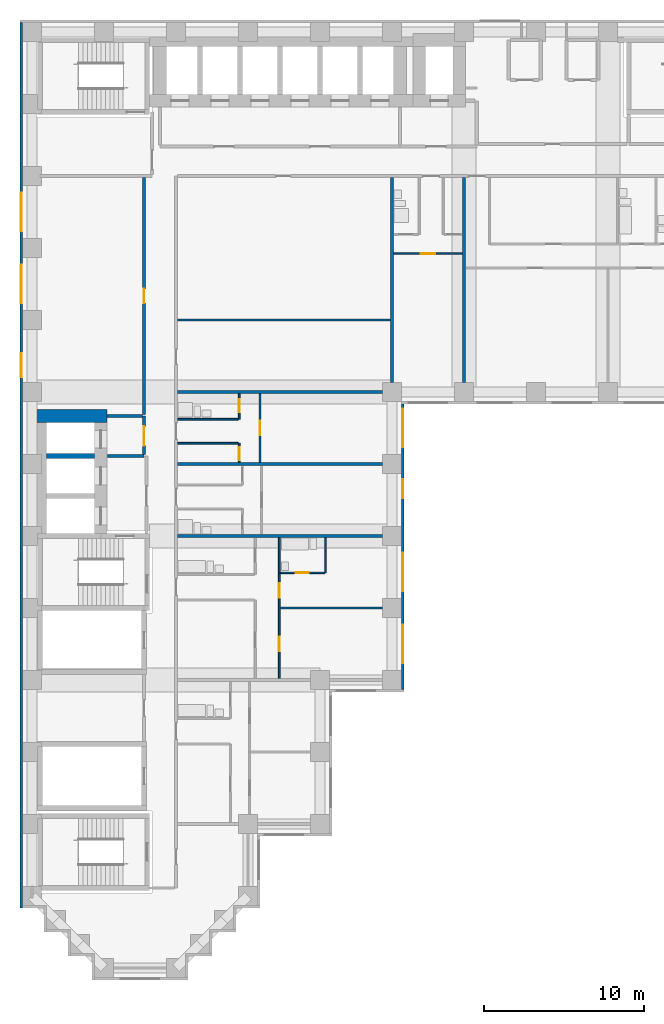
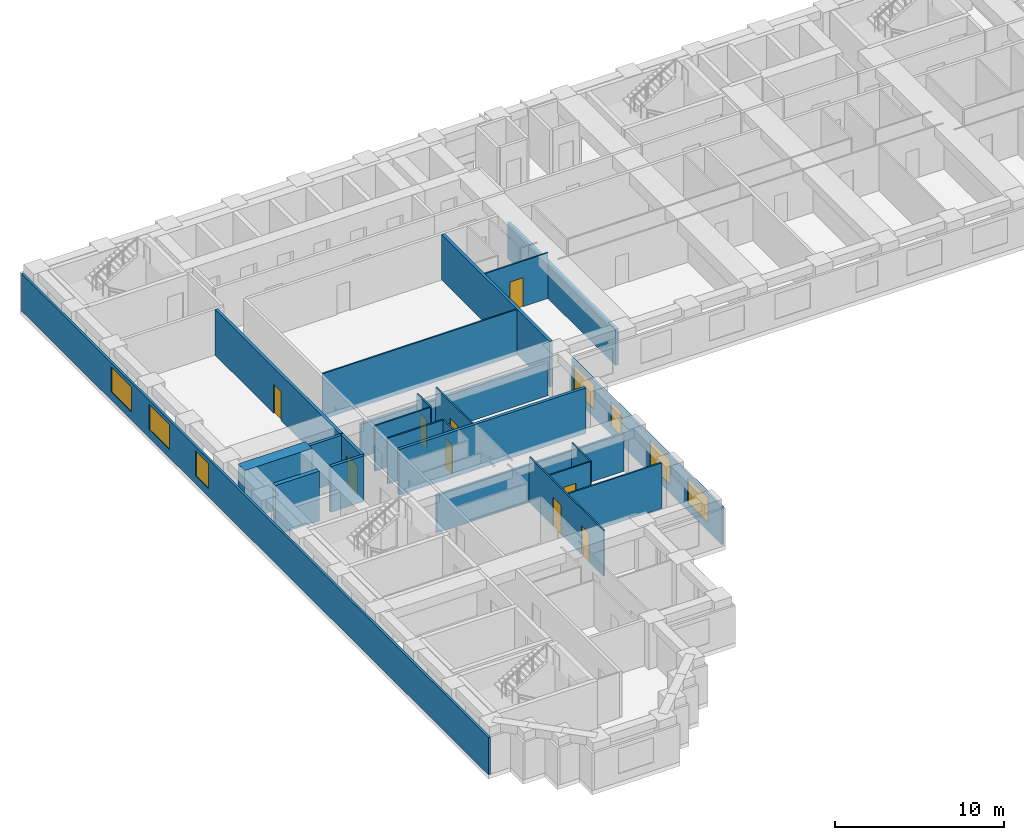
# One storey, part 4 of 11: 24 walls, 9 doors, 7 windows, 16 openings.
"""IFC4 building model written with IfcOpenShell, lengths in metres."""

from ifc_helpers import new_model, si_unit, direction, frame, frame_2d, origin, place, context, subcontext, project, spatial, rectangle, extrude, material, layer, layer_set, type_object, element, fill, save


model = new_model("IFC4")

# Units and contexts
model_context = context("Model", 3, precision=1e-05, world=origin(), true_north=direction((0.0, 1.0)))
body_context = subcontext(model_context, "Body", "Model", "MODEL_VIEW")
ifc_project = project(units=[si_unit("LENGTHUNIT", "METRE"), si_unit("AREAUNIT", "SQUARE_METRE"), si_unit("VOLUMEUNIT", "CUBIC_METRE"), si_unit("PLANEANGLEUNIT", "RADIAN"), si_unit("MASSUNIT", "GRAM", prefix="KILO")], contexts=[model_context])

# Site, building, storey
site_placement = place(None, origin())
site = spatial("IfcSite", under=ifc_project, at=site_placement, CompositionType="ELEMENT")
building_placement = place(site_placement, origin())
building = spatial("IfcBuilding", under=site, at=building_placement, Name="Firuza Court", CompositionType="ELEMENT")
storey_placement = place(building_placement, frame((0.0, 0.0, 61.39990234375)))
storey = spatial("IfcBuildingStorey", under=building, at=storey_placement, Name="L14", CompositionType="ELEMENT", Elevation=61.39990234375)

# Wall, opening, door
ifc_material_1 = material(Name="Moisture-resistant gypsum board partition")
ifc_layer_1 = layer(ifc_material_1, 0.10009765625)
ifc_layer_set_1 = layer_set([ifc_layer_1], Name="Moisture-resistant gypsum board partition")
wall_type_1 = type_object("IfcWallType", Name="Bathroom partition 100", PredefinedType="PLUMBINGWALL", material=ifc_layer_set_1)
wall_1_placement = place(storey_placement, frame((15.5, 24.699951171875, 0.0), z_axis=(0.0, 0.0, 1.0), x_axis=(1.0, 0.0, 0.0)))
wall_1 = element("IfcWall", 1, at=wall_1_placement, inside=storey, type_object=wall_type_1, Name="Bathroom partition 100 L14", PredefinedType="PLUMBINGWALL", context=body_context, shape_type="SweptSolid", body=[
    extrude(rectangle(XDim=2.800048828125, YDim=0.10009765625, at=frame_2d((1.39990234375, 0.0))), origin(), (0.0, 0.0, 1.0), 3.300048828125),
])
opening_1_placement = place(wall_1_placement, frame((1.0, 0.0, 0.0)))
opening_1 = element("IfcOpeningElement", 2, at=opening_1_placement, cuts=wall_1, Name="Opening D14034", PredefinedType="OPENING", context=body_context, shape_type="SweptSolid", body=[
    extrude(rectangle(XDim=0.800048828125, YDim=2.10009765625, at=frame_2d((0.39990234375, 1.050048828125))), frame((0.0, 0.06201171875, 0.0), z_axis=(0.0, -1.0, 0.0), x_axis=(1.0, 0.0, 0.0)), (0.0, 0.0, 1.0), 0.1240234375),
])
ifc_material_2 = material(Name="Timber door leaf in hardwood frame", Category="wood")
door_type_1 = type_object("IfcDoorType", Name="Bathroom door 800", OperationType="SINGLE_SWING_LEFT", PredefinedType="DOOR", material=ifc_material_2)
door_1_placement = place(opening_1_placement, origin())
door_1 = element("IfcDoor", 3, at=door_1_placement, inside=storey, type_object=door_type_1, Name="En-suite door", OperationType="SINGLE_SWING_LEFT", OverallHeight=2.10009765625, OverallWidth=0.800048828125, PredefinedType="DOOR", context=body_context, shape_type="SweptSolid", body=[
    extrude(rectangle(XDim=0.800048828125, YDim=2.10009765625, at=frame_2d((0.39990234375, 1.050048828125))), frame((0.0, 0.02490234375, 0.0), z_axis=(0.0, -1.0, 0.0), x_axis=(1.0, 0.0, 0.0)), (0.0, 0.0, 1.0), 0.050048828125),
])
fill(opening_1, door_1)

# Walls
wall_2_placement = place(storey_placement, frame((18.35009765625, 24.699951171875, 0.0), z_axis=(0.0, 0.0, 1.0), x_axis=(0.0, 1.0, 0.0)))
element("IfcWall", 4, at=wall_2_placement, inside=storey, type_object=wall_type_1, Name="Bathroom partition 100 L14", PredefinedType="PLUMBINGWALL", context=body_context, shape_type="SweptSolid", body=[
    extrude(rectangle(XDim=2.199951171875, YDim=0.10009765625, at=frame_2d((1.10009765625, 0.0))), origin(), (0.0, 0.0, 1.0), 3.300048828125),
])
wall_3_placement = place(storey_placement, frame((9.10009765625, 34.300048828125, 0.0), z_axis=(0.0, 0.0, 1.0), x_axis=(1.0, 0.0, 0.0)))
element("IfcWall", 5, at=wall_3_placement, inside=storey, type_object=wall_type_1, Name="Bathroom partition 100 L14", PredefinedType="PLUMBINGWALL", context=body_context, shape_type="SweptSolid", body=[
    extrude(rectangle(XDim=3.7998046875, YDim=0.10009765625, at=frame_2d((1.89990234375, 0.0))), origin(), (0.0, 0.0, 1.0), 3.300048828125),
])
ifc_material_3 = material(Name="Concrete C60/75", Category="concrete")
ifc_layer_2 = layer(ifc_material_3, 0.300048828125)
ifc_layer_set_2 = layer_set([ifc_layer_2], Name="Concrete C60/75")
wall_type_2 = type_object("IfcWallType", Name="Core wall 300 C60/75", PredefinedType="SHEAR", material=ifc_layer_set_2)
wall_4_placement = place(storey_placement, frame((0.89990234375, 32.0, -0.2998046875), z_axis=(0.0, 0.0, 1.0), x_axis=(1.0, 0.0, 0.0)))
element("IfcWall", 6, at=wall_4_placement, inside=storey, type_object=wall_type_2, Name="Core wall lift shaft L14", PredefinedType="SHEAR", context=body_context, shape_type="SweptSolid", body=[
    extrude(rectangle(XDim=3.0, YDim=0.300048828125, at=frame_2d((1.5, 0.0))), origin(), (0.0, 0.0, 1.0), 3.599853515625),
])
ifc_layer_3 = layer(ifc_material_3, 0.800048828125)
ifc_layer_set_3 = layer_set([ifc_layer_3], Name="Concrete C60/75")
wall_type_3 = type_object("IfcWallType", Name="Core wall 800 C60/75", PredefinedType="SHEAR", material=ifc_layer_set_3)
wall_5_placement = place(storey_placement, frame((0.10009765625, 34.5, -0.2998046875), z_axis=(0.0, 0.0, 1.0), x_axis=(1.0, 0.0, 0.0)))
element("IfcWall", 7, at=wall_5_placement, inside=storey, type_object=wall_type_3, Name="Core wall lift shaft L14", PredefinedType="SHEAR", context=body_context, shape_type="SweptSolid", body=[
    extrude(rectangle(XDim=4.599853515625, YDim=0.800048828125, at=frame_2d((2.2998046875, 0.0))), origin(), (0.0, 0.0, 1.0), 3.599853515625),
])

# Wall, opening, door
ifc_material_4 = material(Name="Blockwork, plastered both sides", Category="masonry")
ifc_layer_4 = layer(ifc_material_4, 0.199951171875)
ifc_layer_set_4 = layer_set([ifc_layer_4], Name="Blockwork, plastered both sides")
wall_type_4 = type_object("IfcWallType", Name="Corridor wall 200", PredefinedType="PARTITIONING", material=ifc_layer_set_4)
wall_6_placement = place(storey_placement, frame((7.0, 34.60009765625, 0.0), z_axis=(0.0, 0.0, 1.0), x_axis=(0.0, 1.0, 0.0)))
wall_6 = element("IfcWall", 8, at=wall_6_placement, inside=storey, type_object=wall_type_4, Name="Corridor wall 200 L14", PredefinedType="PARTITIONING", context=body_context, shape_type="SweptSolid", body=[
    extrude(rectangle(XDim=14.7998046875, YDim=0.199951171875, at=frame_2d((7.39990234375, 0.0))), origin(), (0.0, 0.0, 1.0), 3.300048828125),
])
opening_2_placement = place(wall_6_placement, frame((6.949951171875, 0.0, 0.0)))
opening_2 = element("IfcOpeningElement", 9, at=opening_2_placement, cuts=wall_6, Name="Opening D14041", PredefinedType="OPENING", context=body_context, shape_type="SweptSolid", body=[
    extrude(rectangle(XDim=0.89990234375, YDim=2.10009765625, at=frame_2d((0.449951171875, 1.050048828125))), frame((0.0, 0.11181640625, 0.0), z_axis=(0.0, -1.0, 0.0), x_axis=(1.0, 0.0, 0.0)), (0.0, 0.0, 1.0), 0.223876953125),
])
ifc_material_5 = material(Name="Timber door leaf in hardwood frame", Category="wood")
door_type_2 = type_object("IfcDoorType", Name="Room door 900 EI 30", OperationType="SINGLE_SWING_LEFT", PredefinedType="DOOR", material=ifc_material_5)
door_2_placement = place(opening_2_placement, origin())
door_2 = element("IfcDoor", 10, at=door_2_placement, inside=storey, type_object=door_type_2, Name="Residents' workroom door", OperationType="SINGLE_SWING_LEFT", OverallHeight=2.10009765625, OverallWidth=0.89990234375, PredefinedType="DOOR", context=body_context, shape_type="SweptSolid", body=[
    extrude(rectangle(XDim=0.89990234375, YDim=2.10009765625, at=frame_2d((0.449951171875, 1.050048828125))), frame((0.0, 0.02490234375, 0.0), z_axis=(0.0, -1.0, 0.0), x_axis=(1.0, 0.0, 0.0)), (0.0, 0.0, 1.0), 0.050048828125),
])
fill(opening_2, door_2)

# Wall, openings, doors
ifc_material_6 = material(Name="Timber stud partition, plasterboard both sides", Category="wood")
ifc_layer_5 = layer(ifc_material_6, 0.10009765625)
ifc_layer_set_5 = layer_set([ifc_layer_5], Name="Timber stud partition, plasterboard both sides")
wall_type_5 = type_object("IfcWallType", Name="Partition wall 100", PredefinedType="PARTITIONING", material=ifc_layer_set_5)
wall_7_placement = place(storey_placement, frame((15.449951171875, 18.10009765625, 0.0), z_axis=(0.0, 0.0, 1.0), x_axis=(0.0, 1.0, 0.0)))
wall_7 = element("IfcWall", 11, at=wall_7_placement, inside=storey, type_object=wall_type_5, Name="Partition wall 100 L14", PredefinedType="PARTITIONING", context=body_context, shape_type="SweptSolid", body=[
    extrude(rectangle(XDim=8.7998046875, YDim=0.10009765625, at=frame_2d((4.39990234375, 0.0))), origin(), (0.0, 0.0, 1.0), 3.300048828125),
])
opening_3_placement = place(wall_7_placement, frame((1.699951171875, 0.0, 0.0)))
opening_3 = element("IfcOpeningElement", 12, at=opening_3_placement, cuts=wall_7, Name="Opening D14031", PredefinedType="OPENING", context=body_context, shape_type="SweptSolid", body=[
    extrude(rectangle(XDim=0.89990234375, YDim=2.10009765625, at=frame_2d((0.449951171875, 1.050048828125))), frame((0.0, 0.06201171875, 0.0), z_axis=(0.0, -1.0, 0.0), x_axis=(1.0, 0.0, 0.0)), (0.0, 0.0, 1.0), 0.1240234375),
])
opening_4_placement = place(wall_7_placement, frame((5.050048828125, 0.0, 0.0)))
opening_4 = element("IfcOpeningElement", 13, at=opening_4_placement, cuts=wall_7, Name="Opening D14032", PredefinedType="OPENING", context=body_context, shape_type="SweptSolid", body=[
    extrude(rectangle(XDim=0.89990234375, YDim=2.10009765625, at=frame_2d((0.449951171875, 1.050048828125))), frame((0.0, 0.06201171875, 0.0), z_axis=(0.0, -1.0, 0.0), x_axis=(1.0, 0.0, 0.0)), (0.0, 0.0, 1.0), 0.1240234375),
])
ifc_material_7 = material(Name="Timber door leaf in hardwood frame", Category="wood")
door_type_3 = type_object("IfcDoorType", Name="Room door 900", OperationType="SINGLE_SWING_LEFT", PredefinedType="DOOR", material=ifc_material_7)
door_3_placement = place(opening_3_placement, frame((0.89990234375, 0.0, 0.0), z_axis=(0.0, 0.0, 1.0), x_axis=(-1.0, 0.0, 0.0)))
door_3 = element("IfcDoor", 14, at=door_3_placement, inside=storey, type_object=door_type_3, Name="Living room door", OperationType="SINGLE_SWING_RIGHT", OverallHeight=2.10009765625, OverallWidth=0.89990234375, PredefinedType="DOOR", context=body_context, shape_type="SweptSolid", body=[
    extrude(rectangle(XDim=0.89990234375, YDim=2.10009765625, at=frame_2d((0.449951171875, 1.050048828125))), frame((0.0, 0.02490234375, 0.0), z_axis=(0.0, -1.0, 0.0), x_axis=(1.0, 0.0, 0.0)), (0.0, 0.0, 1.0), 0.050048828125),
])
fill(opening_3, door_3)
door_4_placement = place(opening_4_placement, frame((0.89990234375, 0.0, 0.0), z_axis=(0.0, 0.0, 1.0), x_axis=(-1.0, 0.0, 0.0)))
door_4 = element("IfcDoor", 15, at=door_4_placement, inside=storey, type_object=door_type_3, Name="Bedroom door", OperationType="SINGLE_SWING_RIGHT", OverallHeight=2.10009765625, OverallWidth=0.89990234375, PredefinedType="DOOR", context=body_context, shape_type="SweptSolid", body=[
    extrude(rectangle(XDim=0.89990234375, YDim=2.10009765625, at=frame_2d((0.449951171875, 1.050048828125))), frame((0.0, 0.02490234375, 0.0), z_axis=(0.0, -1.0, 0.0), x_axis=(1.0, 0.0, 0.0)), (0.0, 0.0, 1.0), 0.050048828125),
])
fill(opening_4, door_4)

# Wall
wall_8_placement = place(storey_placement, frame((15.5, 22.5, 0.0), z_axis=(0.0, 0.0, 1.0), x_axis=(1.0, 0.0, 0.0)))
element("IfcWall", 16, at=wall_8_placement, inside=storey, type_object=wall_type_5, Name="Partition wall 100 L14", PredefinedType="PARTITIONING", context=body_context, shape_type="SweptSolid", body=[
    extrude(rectangle(XDim=6.39990234375, YDim=0.10009765625, at=frame_2d((3.199951171875, 0.0))), origin(), (0.0, 0.0, 1.0), 3.300048828125),
])

# Wall, opening, door
wall_9_placement = place(storey_placement, frame((12.949951171875, 31.60009765625, 0.0), z_axis=(0.0, 0.0, 1.0), x_axis=(0.0, 1.0, 0.0)))
wall_9 = element("IfcWall", 17, at=wall_9_placement, inside=storey, type_object=wall_type_5, Name="Partition wall 100 L14", PredefinedType="PARTITIONING", context=body_context, shape_type="SweptSolid", body=[
    extrude(rectangle(XDim=1.199951171875, YDim=0.10009765625, at=frame_2d((0.60009765625, 0.0))), origin(), (0.0, 0.0, 1.0), 3.300048828125),
])
opening_5_placement = place(wall_9_placement, frame((0.14990234375, 0.0, 0.0)))
opening_5 = element("IfcOpeningElement", 18, at=opening_5_placement, cuts=wall_9, Name="Opening D14038", PredefinedType="OPENING", context=body_context, shape_type="SweptSolid", body=[
    extrude(rectangle(XDim=0.800048828125, YDim=2.10009765625, at=frame_2d((0.39990234375, 1.050048828125))), frame((0.0, 0.06201171875, 0.0), z_axis=(0.0, -1.0, 0.0), x_axis=(1.0, 0.0, 0.0)), (0.0, 0.0, 1.0), 0.1240234375),
])
ifc_material_8 = material(Name="Timber door leaf in hardwood frame", Category="wood")
door_type_4 = type_object("IfcDoorType", Name="Room door 800", OperationType="SINGLE_SWING_LEFT", PredefinedType="DOOR", material=ifc_material_8)
door_5_placement = place(opening_5_placement, origin())
door_5 = element("IfcDoor", 19, at=door_5_placement, inside=storey, type_object=door_type_4, Name="Kitchen door", OperationType="SINGLE_SWING_LEFT", OverallHeight=2.10009765625, OverallWidth=0.800048828125, PredefinedType="DOOR", context=body_context, shape_type="SweptSolid", body=[
    extrude(rectangle(XDim=0.800048828125, YDim=2.10009765625, at=frame_2d((0.39990234375, 1.050048828125))), frame((0.0, 0.02490234375, 0.0), z_axis=(0.0, -1.0, 0.0), x_axis=(1.0, 0.0, 0.0)), (0.0, 0.0, 1.0), 0.050048828125),
])
fill(opening_5, door_5)

wall_10_placement = place(storey_placement, frame((14.25, 31.60009765625, 0.0), z_axis=(0.0, 0.0, 1.0), x_axis=(0.0, 1.0, 0.0)))
wall_10 = element("IfcWall", 20, at=wall_10_placement, inside=storey, type_object=wall_type_5, Name="Partition wall 100 L14", PredefinedType="PARTITIONING", context=body_context, shape_type="SweptSolid", body=[
    extrude(rectangle(XDim=4.2998046875, YDim=0.10009765625, at=frame_2d((2.14990234375, 0.0))), origin(), (0.0, 0.0, 1.0), 3.300048828125),
])
opening_6_placement = place(wall_10_placement, frame((1.699951171875, 0.0, 0.0)))
opening_6 = element("IfcOpeningElement", 21, at=opening_6_placement, cuts=wall_10, Name="Opening D14039", PredefinedType="OPENING", context=body_context, shape_type="SweptSolid", body=[
    extrude(rectangle(XDim=0.89990234375, YDim=2.10009765625, at=frame_2d((0.449951171875, 1.050048828125))), frame((0.0, 0.06201171875, 0.0), z_axis=(0.0, -1.0, 0.0), x_axis=(1.0, 0.0, 0.0)), (0.0, 0.0, 1.0), 0.1240234375),
])
door_6_placement = place(opening_6_placement, frame((0.89990234375, 0.0, 0.0), z_axis=(0.0, 0.0, 1.0), x_axis=(-1.0, 0.0, 0.0)))
door_6 = element("IfcDoor", 22, at=door_6_placement, inside=storey, type_object=door_type_3, Name="Studio room door", OperationType="SINGLE_SWING_RIGHT", OverallHeight=2.10009765625, OverallWidth=0.89990234375, PredefinedType="DOOR", context=body_context, shape_type="SweptSolid", body=[
    extrude(rectangle(XDim=0.89990234375, YDim=2.10009765625, at=frame_2d((0.449951171875, 1.050048828125))), frame((0.0, 0.02490234375, 0.0), z_axis=(0.0, -1.0, 0.0), x_axis=(1.0, 0.0, 0.0)), (0.0, 0.0, 1.0), 0.050048828125),
])
fill(opening_6, door_6)

# Wall
wall_11_placement = place(storey_placement, frame((9.10009765625, 32.800048828125, 0.0), z_axis=(0.0, 0.0, 1.0), x_axis=(1.0, 0.0, 0.0)))
element("IfcWall", 23, at=wall_11_placement, inside=storey, type_object=wall_type_5, Name="Partition wall 100 L14", PredefinedType="PARTITIONING", context=body_context, shape_type="SweptSolid", body=[
    extrude(rectangle(XDim=3.7998046875, YDim=0.10009765625, at=frame_2d((1.89990234375, 0.0))), origin(), (0.0, 0.0, 1.0), 3.300048828125),
])

# Wall, opening, door
wall_12_placement = place(storey_placement, frame((12.949951171875, 34.300048828125, 0.0), z_axis=(0.0, 0.0, 1.0), x_axis=(0.0, 1.0, 0.0)))
wall_12 = element("IfcWall", 24, at=wall_12_placement, inside=storey, type_object=wall_type_5, Name="Partition wall 100 L14", PredefinedType="PARTITIONING", context=body_context, shape_type="SweptSolid", body=[
    extrude(rectangle(XDim=1.599853515625, YDim=0.10009765625, at=frame_2d((0.7998046875, 0.0))), origin(), (0.0, 0.0, 1.0), 3.300048828125),
])
opening_7_placement = place(wall_12_placement, frame((0.449951171875, 0.0, 0.0)))
opening_7 = element("IfcOpeningElement", 25, at=opening_7_placement, cuts=wall_12, Name="Opening D14040", PredefinedType="OPENING", context=body_context, shape_type="SweptSolid", body=[
    extrude(rectangle(XDim=0.800048828125, YDim=2.10009765625, at=frame_2d((0.39990234375, 1.050048828125))), frame((0.0, 0.06201171875, 0.0), z_axis=(0.0, -1.0, 0.0), x_axis=(1.0, 0.0, 0.0)), (0.0, 0.0, 1.0), 0.1240234375),
])
door_7_placement = place(opening_7_placement, origin())
door_7 = element("IfcDoor", 26, at=door_7_placement, inside=storey, type_object=door_type_1, Name="Bathroom door", OperationType="SINGLE_SWING_LEFT", OverallHeight=2.10009765625, OverallWidth=0.800048828125, PredefinedType="DOOR", context=body_context, shape_type="SweptSolid", body=[
    extrude(rectangle(XDim=0.800048828125, YDim=2.10009765625, at=frame_2d((0.39990234375, 1.050048828125))), frame((0.0, 0.02490234375, 0.0), z_axis=(0.0, -1.0, 0.0), x_axis=(1.0, 0.0, 0.0)), (0.0, 0.0, 1.0), 0.050048828125),
])
fill(opening_7, door_7)

# Wall
wall_13_placement = place(storey_placement, frame((9.10009765625, 40.5, 0.0), z_axis=(0.0, 0.0, 1.0), x_axis=(1.0, 0.0, 0.0)))
element("IfcWall", 27, at=wall_13_placement, inside=storey, type_object=wall_type_5, Name="Partition wall 100 L14", PredefinedType="PARTITIONING", context=body_context, shape_type="SweptSolid", body=[
    extrude(rectangle(XDim=13.2998046875, YDim=0.10009765625, at=frame_2d((6.64990234375, 0.0))), origin(), (0.0, 0.0, 1.0), 3.300048828125),
])

# Wall, opening, door
wall_14_placement = place(storey_placement, frame((22.60009765625, 44.64990234375, 0.0), z_axis=(0.0, 0.0, 1.0), x_axis=(1.0, 0.0, 0.0)))
wall_14 = element("IfcWall", 28, at=wall_14_placement, inside=storey, type_object=wall_type_5, Name="Partition wall 100 L14", PredefinedType="PARTITIONING", context=body_context, shape_type="SweptSolid", body=[
    extrude(rectangle(XDim=4.2998046875, YDim=0.10009765625, at=frame_2d((2.14990234375, 0.0))), origin(), (0.0, 0.0, 1.0), 3.300048828125),
])
opening_8_placement = place(wall_14_placement, frame((1.699951171875, 0.0, 0.0)))
opening_8 = element("IfcOpeningElement", 29, at=opening_8_placement, cuts=wall_14, Name="Opening D14049", PredefinedType="OPENING", context=body_context, shape_type="SweptSolid", body=[
    extrude(rectangle(XDim=0.89990234375, YDim=2.10009765625, at=frame_2d((0.449951171875, 1.050048828125))), frame((0.0, 0.06201171875, 0.0), z_axis=(0.0, -1.0, 0.0), x_axis=(1.0, 0.0, 0.0)), (0.0, 0.0, 1.0), 0.1240234375),
])
door_8_placement = place(opening_8_placement, frame((0.89990234375, 0.0, 0.0), z_axis=(0.0, 0.0, 1.0), x_axis=(-1.0, 0.0, 0.0)))
door_8 = element("IfcDoor", 30, at=door_8_placement, inside=storey, type_object=door_type_3, Name="Studio room door", OperationType="SINGLE_SWING_RIGHT", OverallHeight=2.10009765625, OverallWidth=0.89990234375, PredefinedType="DOOR", context=body_context, shape_type="SweptSolid", body=[
    extrude(rectangle(XDim=0.89990234375, YDim=2.10009765625, at=frame_2d((0.449951171875, 1.050048828125))), frame((0.0, 0.02490234375, 0.0), z_axis=(0.0, -1.0, 0.0), x_axis=(1.0, 0.0, 0.0)), (0.0, 0.0, 1.0), 0.050048828125),
])
fill(opening_8, door_8)

# Walls
ifc_layer_6 = layer(ifc_material_4, 0.199951171875)
ifc_layer_set_6 = layer_set([ifc_layer_6], Name="Blockwork, plastered both sides")
wall_type_6 = type_object("IfcWallType", Name="Party wall 200", PredefinedType="PARTITIONING", material=ifc_layer_set_6)
wall_15_placement = place(storey_placement, frame((9.10009765625, 27.0, 0.0), z_axis=(0.0, 0.0, 1.0), x_axis=(1.0, 0.0, 0.0)))
element("IfcWall", 31, at=wall_15_placement, inside=storey, type_object=wall_type_6, Name="Party wall 200 L14", PredefinedType="PARTITIONING", context=body_context, shape_type="SweptSolid", body=[
    extrude(rectangle(XDim=12.7998046875, YDim=0.199951171875, at=frame_2d((6.39990234375, 0.0))), origin(), (0.0, 0.0, 1.0), 2.7001953125),
])
wall_16_placement = place(storey_placement, frame((9.10009765625, 31.5, 0.0), z_axis=(0.0, 0.0, 1.0), x_axis=(1.0, 0.0, 0.0)))
element("IfcWall", 32, at=wall_16_placement, inside=storey, type_object=wall_type_6, Name="Party wall 200 L14", PredefinedType="PARTITIONING", context=body_context, shape_type="SweptSolid", body=[
    extrude(rectangle(XDim=12.7998046875, YDim=0.199951171875, at=frame_2d((6.39990234375, 0.0))), origin(), (0.0, 0.0, 1.0), 3.300048828125),
])
wall_17_placement = place(storey_placement, frame((9.10009765625, 36.0, 0.0), z_axis=(0.0, 0.0, 1.0), x_axis=(1.0, 0.0, 0.0)))
element("IfcWall", 33, at=wall_17_placement, inside=storey, type_object=wall_type_6, Name="Party wall 200 L14", PredefinedType="PARTITIONING", context=body_context, shape_type="SweptSolid", body=[
    extrude(rectangle(XDim=12.7998046875, YDim=0.199951171875, at=frame_2d((6.39990234375, 0.0))), origin(), (0.0, 0.0, 1.0), 2.400146484375),
])
wall_18_placement = place(storey_placement, frame((22.5, 36.60009765625, 0.0), z_axis=(0.0, 0.0, 1.0), x_axis=(0.0, 1.0, 0.0)))
element("IfcWall", 34, at=wall_18_placement, inside=storey, type_object=wall_type_6, Name="Party wall 200 L14", PredefinedType="PARTITIONING", context=body_context, shape_type="SweptSolid", body=[
    extrude(rectangle(XDim=12.7998046875, YDim=0.199951171875, at=frame_2d((6.39990234375, 0.0))), origin(), (0.0, 0.0, 1.0), 3.300048828125),
])
wall_19_placement = place(storey_placement, frame((27.0, 36.60009765625, 0.0), z_axis=(0.0, 0.0, 1.0), x_axis=(0.0, 1.0, 0.0)))
element("IfcWall", 35, at=wall_19_placement, inside=storey, type_object=wall_type_6, Name="Party wall 200 L14", PredefinedType="PARTITIONING", context=body_context, shape_type="SweptSolid", body=[
    extrude(rectangle(XDim=12.7998046875, YDim=0.199951171875, at=frame_2d((6.39990234375, 0.0))), origin(), (0.0, 0.0, 1.0), 2.60009765625),
])

# Wall, openings, windows
ifc_material_9 = material(Name="Ceramic tile", Category="ceramic")
ifc_layer_7 = layer(ifc_material_9, 0.02001953125)
ifc_material_10 = material(Name="Mineral wool insulation", Category="insulation")
ifc_layer_8 = layer(ifc_material_10, 0.050048828125)
ifc_material_11 = material(Name="Concrete C40/50 precast", Category="concrete")
ifc_layer_9 = layer(ifc_material_11, 0.080078125)
ifc_layer_set_7 = layer_set([ifc_layer_7, ifc_layer_8, ifc_layer_9], Name="Concrete C40/50 precast")
wall_type_7 = type_object("IfcWallType", Name="Precast cladding wall with turquoise TILE PANEL face 150", PredefinedType="STANDARD", material=ifc_layer_set_7)
wall_20_placement = place(storey_placement, frame((23.175048828125, 17.39990234375, 0.0), z_axis=(0.0, 0.0, 1.0), x_axis=(0.0, 1.0, 0.0)))
wall_20 = element("IfcWall", 36, at=wall_20_placement, inside=storey, type_object=wall_type_7, Name="Facade wall L14 E", PredefinedType="STANDARD", context=body_context, shape_type="SweptSolid", body=[
    extrude(rectangle(XDim=17.85009765625, YDim=0.14990234375, at=frame_2d((8.925048828125, 0.0))), origin(), (0.0, 0.0, 1.0), 2.7001953125),
])
opening_9_placement = place(wall_20_placement, frame((1.64990234375, 0.0, 0.60009765625)))
opening_9 = element("IfcOpeningElement", 37, at=opening_9_placement, cuts=wall_20, Name="Opening W1", PredefinedType="OPENING", context=body_context, shape_type="SweptSolid", body=[
    extrude(rectangle(XDim=2.39990234375, YDim=1.800048828125, at=frame_2d((1.199951171875, 0.89990234375))), frame((0.0, 0.0869140625, 0.0), z_axis=(0.0, -1.0, 0.0), x_axis=(1.0, 0.0, 0.0)), (0.0, 0.0, 1.0), 0.173828125),
])
opening_10_placement = place(wall_20_placement, frame((6.14990234375, 0.0, 0.60009765625)))
opening_10 = element("IfcOpeningElement", 38, at=opening_10_placement, cuts=wall_20, Name="Opening W1", PredefinedType="OPENING", context=body_context, shape_type="SweptSolid", body=[
    extrude(rectangle(XDim=2.39990234375, YDim=1.800048828125, at=frame_2d((1.199951171875, 0.89990234375))), frame((0.0, 0.0869140625, 0.0), z_axis=(0.0, -1.0, 0.0), x_axis=(1.0, 0.0, 0.0)), (0.0, 0.0, 1.0), 0.173828125),
])
opening_11_placement = place(wall_20_placement, frame((11.960693359375, 0.0, 0.60009765625)))
opening_11 = element("IfcOpeningElement", 39, at=opening_11_placement, cuts=wall_20, Name="Opening W8", PredefinedType="OPENING", context=body_context, shape_type="SweptSolid", body=[
    extrude(rectangle(XDim=1.199951171875, YDim=1.800048828125, at=frame_2d((0.60009765625, 0.89990234375))), frame((0.0, 0.0869140625, 0.0), z_axis=(0.0, -1.0, 0.0), x_axis=(1.0, 0.0, 0.0)), (0.0, 0.0, 1.0), 0.173828125),
])
opening_12_placement = place(wall_20_placement, frame((15.14990234375, 0.0, 0.60009765625)))
opening_12 = element("IfcOpeningElement", 40, at=opening_12_placement, cuts=wall_20, Name="Opening W1", PredefinedType="OPENING", context=body_context, shape_type="SweptSolid", body=[
    extrude(rectangle(XDim=2.39990234375, YDim=1.800048828125, at=frame_2d((1.199951171875, 0.89990234375))), frame((0.0, 0.0869140625, 0.0), z_axis=(0.0, -1.0, 0.0), x_axis=(1.0, 0.0, 0.0)), (0.0, 0.0, 1.0), 0.173828125),
])
ifc_material_12 = material(Name="Aluminium frame, triple clear glazing", Category="aluminium")
window_type_1 = type_object("IfcWindowType", Name="Window W1 2400 x 1800", PartitioningType="SINGLE_PANEL", PredefinedType="WINDOW", material=ifc_material_12)
window_1_placement = place(opening_9_placement, origin())
window_1 = element("IfcWindow", 41, at=window_1_placement, inside=storey, type_object=window_type_1, Name="Window L14", OverallHeight=1.800048828125, OverallWidth=2.39990234375, PartitioningType="SINGLE_PANEL", PredefinedType="WINDOW", context=body_context, shape_type="SweptSolid", body=[
    extrude(rectangle(XDim=2.39990234375, YDim=1.800048828125, at=frame_2d((1.199951171875, 0.89990234375))), frame((0.0, 0.030029296875, 0.0), z_axis=(0.0, -1.0, 0.0), x_axis=(1.0, 0.0, 0.0)), (0.0, 0.0, 1.0), 0.06005859375),
])
fill(opening_9, window_1)
window_2_placement = place(opening_10_placement, origin())
window_2 = element("IfcWindow", 42, at=window_2_placement, inside=storey, type_object=window_type_1, Name="Window L14", OverallHeight=1.800048828125, OverallWidth=2.39990234375, PartitioningType="SINGLE_PANEL", PredefinedType="WINDOW", context=body_context, shape_type="SweptSolid", body=[
    extrude(rectangle(XDim=2.39990234375, YDim=1.800048828125, at=frame_2d((1.199951171875, 0.89990234375))), frame((0.0, 0.030029296875, 0.0), z_axis=(0.0, -1.0, 0.0), x_axis=(1.0, 0.0, 0.0)), (0.0, 0.0, 1.0), 0.06005859375),
])
fill(opening_10, window_2)
window_3_placement = place(opening_12_placement, origin())
window_3 = element("IfcWindow", 43, at=window_3_placement, inside=storey, type_object=window_type_1, Name="Window L14", OverallHeight=1.800048828125, OverallWidth=2.39990234375, PartitioningType="SINGLE_PANEL", PredefinedType="WINDOW", context=body_context, shape_type="SweptSolid", body=[
    extrude(rectangle(XDim=2.39990234375, YDim=1.800048828125, at=frame_2d((1.199951171875, 0.89990234375))), frame((0.0, 0.030029296875, 0.0), z_axis=(0.0, -1.0, 0.0), x_axis=(1.0, 0.0, 0.0)), (0.0, 0.0, 1.0), 0.06005859375),
])
fill(opening_12, window_3)
ifc_material_13 = material(Name="Aluminium frame, triple clear glazing", Category="aluminium")
window_type_2 = type_object("IfcWindowType", Name="Window W8 1200 x 1800", PartitioningType="SINGLE_PANEL", PredefinedType="WINDOW", material=ifc_material_13)
window_4_placement = place(opening_11_placement, origin())
window_4 = element("IfcWindow", 44, at=window_4_placement, inside=storey, type_object=window_type_2, Name="Window L14", OverallHeight=1.800048828125, OverallWidth=1.199951171875, PartitioningType="SINGLE_PANEL", PredefinedType="WINDOW", context=body_context, shape_type="SweptSolid", body=[
    extrude(rectangle(XDim=1.199951171875, YDim=1.800048828125, at=frame_2d((0.60009765625, 0.89990234375))), frame((0.0, 0.030029296875, 0.0), z_axis=(0.0, -1.0, 0.0), x_axis=(1.0, 0.0, 0.0)), (0.0, 0.0, 1.0), 0.06005859375),
])
fill(opening_11, window_4)

wall_21_placement = place(storey_placement, frame((-0.675048828125, 59.10009765625, 0.0), z_axis=(0.0, 0.0, 1.0), x_axis=(0.0, -1.0, 0.0)))
wall_21 = element("IfcWall", 45, at=wall_21_placement, inside=storey, type_object=wall_type_7, Name="Facade wall L14 W", PredefinedType="STANDARD", context=body_context, shape_type="SweptSolid", body=[
    extrude(rectangle(XDim=55.35009765625, YDim=0.14990234375, at=frame_2d((27.675048828125, 0.0))), origin(), (0.0, 0.0, 1.0), 2.7001953125),
])
opening_13_placement = place(wall_21_placement, frame((10.64990234375, 0.0, 0.60009765625)))
opening_13 = element("IfcOpeningElement", 46, at=opening_13_placement, cuts=wall_21, Name="Opening W1", PredefinedType="OPENING", context=body_context, shape_type="SweptSolid", body=[
    extrude(rectangle(XDim=2.39990234375, YDim=1.800048828125, at=frame_2d((1.199951171875, 0.89990234375))), frame((0.0, 0.0869140625, 0.0), z_axis=(0.0, -1.0, 0.0), x_axis=(1.0, 0.0, 0.0)), (0.0, 0.0, 1.0), 0.173828125),
])
opening_14_placement = place(wall_21_placement, frame((15.14990234375, 0.0, 0.60009765625)))
opening_14 = element("IfcOpeningElement", 47, at=opening_14_placement, cuts=wall_21, Name="Opening W1", PredefinedType="OPENING", context=body_context, shape_type="SweptSolid", body=[
    extrude(rectangle(XDim=2.39990234375, YDim=1.800048828125, at=frame_2d((1.199951171875, 0.89990234375))), frame((0.0, 0.0869140625, 0.0), z_axis=(0.0, -1.0, 0.0), x_axis=(1.0, 0.0, 0.0)), (0.0, 0.0, 1.0), 0.173828125),
])
opening_15_placement = place(wall_21_placement, frame((20.67041015625, 0.0, 0.60009765625)))
opening_15 = element("IfcOpeningElement", 48, at=opening_15_placement, cuts=wall_21, Name="Opening W2", PredefinedType="OPENING", context=body_context, shape_type="SweptSolid", body=[
    extrude(rectangle(XDim=1.5, YDim=1.800048828125, at=frame_2d((0.75, 0.89990234375))), frame((0.0, 0.0869140625, 0.0), z_axis=(0.0, -1.0, 0.0), x_axis=(1.0, 0.0, 0.0)), (0.0, 0.0, 1.0), 0.173828125),
])
window_5_placement = place(opening_13_placement, origin())
window_5 = element("IfcWindow", 49, at=window_5_placement, inside=storey, type_object=window_type_1, Name="Window L14", OverallHeight=1.800048828125, OverallWidth=2.39990234375, PartitioningType="SINGLE_PANEL", PredefinedType="WINDOW", context=body_context, shape_type="SweptSolid", body=[
    extrude(rectangle(XDim=2.39990234375, YDim=1.800048828125, at=frame_2d((1.199951171875, 0.89990234375))), frame((0.0, 0.030029296875, 0.0), z_axis=(0.0, -1.0, 0.0), x_axis=(1.0, 0.0, 0.0)), (0.0, 0.0, 1.0), 0.06005859375),
])
fill(opening_13, window_5)
window_6_placement = place(opening_14_placement, origin())
window_6 = element("IfcWindow", 50, at=window_6_placement, inside=storey, type_object=window_type_1, Name="Window L14", OverallHeight=1.800048828125, OverallWidth=2.39990234375, PartitioningType="SINGLE_PANEL", PredefinedType="WINDOW", context=body_context, shape_type="SweptSolid", body=[
    extrude(rectangle(XDim=2.39990234375, YDim=1.800048828125, at=frame_2d((1.199951171875, 0.89990234375))), frame((0.0, 0.030029296875, 0.0), z_axis=(0.0, -1.0, 0.0), x_axis=(1.0, 0.0, 0.0)), (0.0, 0.0, 1.0), 0.06005859375),
])
fill(opening_14, window_6)
ifc_material_14 = material(Name="Aluminium frame, triple clear glazing", Category="aluminium")
window_type_3 = type_object("IfcWindowType", Name="Window W2 1500 x 1800", PartitioningType="SINGLE_PANEL", PredefinedType="WINDOW", material=ifc_material_14)
window_7_placement = place(opening_15_placement, origin())
window_7 = element("IfcWindow", 51, at=window_7_placement, inside=storey, type_object=window_type_3, Name="Window L14", OverallHeight=1.800048828125, OverallWidth=1.5, PartitioningType="SINGLE_PANEL", PredefinedType="WINDOW", context=body_context, shape_type="SweptSolid", body=[
    extrude(rectangle(XDim=1.5, YDim=1.800048828125, at=frame_2d((0.75, 0.89990234375))), frame((0.0, 0.030029296875, 0.0), z_axis=(0.0, -1.0, 0.0), x_axis=(1.0, 0.0, 0.0)), (0.0, 0.0, 1.0), 0.06005859375),
])
fill(opening_15, window_7)

# Wall
ifc_material_15 = material(Name="Blockwork, fire-rated", Category="masonry")
ifc_layer_10 = layer(ifc_material_15, 0.199951171875)
ifc_layer_set_8 = layer_set([ifc_layer_10], Name="Blockwork, fire-rated")
wall_type_8 = type_object("IfcWallType", Name="Shaft wall 200", PredefinedType="PARTITIONING", material=ifc_layer_set_8)
wall_22_placement = place(storey_placement, frame((4.719970703125, 32.0, 0.0), z_axis=(0.0, 0.0, 1.0), x_axis=(1.0, 0.0, 0.0)))
element("IfcWall", 52, at=wall_22_placement, inside=storey, type_object=wall_type_8, Name="Shaft wall 200 L14", PredefinedType="PARTITIONING", context=body_context, shape_type="SweptSolid", body=[
    extrude(rectangle(XDim=2.280029296875, YDim=0.199951171875, at=frame_2d((1.14013671875, 0.0))), origin(), (0.0, 0.0, 1.0), 3.300048828125),
])

# Wall, opening, door
wall_23_placement = place(storey_placement, frame((7.0, 32.10009765625, 0.0), z_axis=(0.0, 0.0, 1.0), x_axis=(0.0, 1.0, 0.0)))
wall_23 = element("IfcWall", 53, at=wall_23_placement, inside=storey, type_object=wall_type_8, Name="Shaft wall 200 L14", PredefinedType="PARTITIONING", context=body_context, shape_type="SweptSolid", body=[
    extrude(rectangle(XDim=2.39990234375, YDim=0.199951171875, at=frame_2d((1.199951171875, 0.0))), origin(), (0.0, 0.0, 1.0), 3.300048828125),
])
opening_16_placement = place(wall_23_placement, frame((0.550048828125, 0.0, 0.0)))
opening_16 = element("IfcOpeningElement", 54, at=opening_16_placement, cuts=wall_23, Name="Opening D14008", PredefinedType="OPENING", context=body_context, shape_type="SweptSolid", body=[
    extrude(rectangle(XDim=1.199951171875, YDim=2.10009765625, at=frame_2d((0.60009765625, 1.050048828125))), frame((0.0, 0.11181640625, 0.0), z_axis=(0.0, -1.0, 0.0), x_axis=(1.0, 0.0, 0.0)), (0.0, 0.0, 1.0), 0.223876953125),
])
ifc_material_16 = material(Name="Timber door leaf in hardwood frame", Category="wood")
door_type_5 = type_object("IfcDoorType", Name="Lobby door 1200", OperationType="SINGLE_SWING_LEFT", PredefinedType="DOOR", material=ifc_material_16)
door_9_placement = place(opening_16_placement, origin())
door_9 = element("IfcDoor", 55, at=door_9_placement, inside=storey, type_object=door_type_5, Name="Lobby door", OperationType="SINGLE_SWING_LEFT", OverallHeight=2.10009765625, OverallWidth=1.199951171875, PredefinedType="DOOR", context=body_context, shape_type="SweptSolid", body=[
    extrude(rectangle(XDim=1.199951171875, YDim=2.10009765625, at=frame_2d((0.60009765625, 1.050048828125))), frame((0.0, 0.02490234375, 0.0), z_axis=(0.0, -1.0, 0.0), x_axis=(1.0, 0.0, 0.0)), (0.0, 0.0, 1.0), 0.050048828125),
])
fill(opening_16, door_9)

# Wall
wall_24_placement = place(storey_placement, frame((4.699951171875, 34.5, 0.0), z_axis=(0.0, 0.0, 1.0), x_axis=(1.0, 0.0, 0.0)))
element("IfcWall", 56, at=wall_24_placement, inside=storey, type_object=wall_type_8, Name="Shaft wall 200 L14", PredefinedType="PARTITIONING", context=body_context, shape_type="SweptSolid", body=[
    extrude(rectangle(XDim=2.199951171875, YDim=0.199951171875, at=frame_2d((1.10009765625, 0.0))), origin(), (0.0, 0.0, 1.0), 3.300048828125),
])

save(model, "model.ifc")
